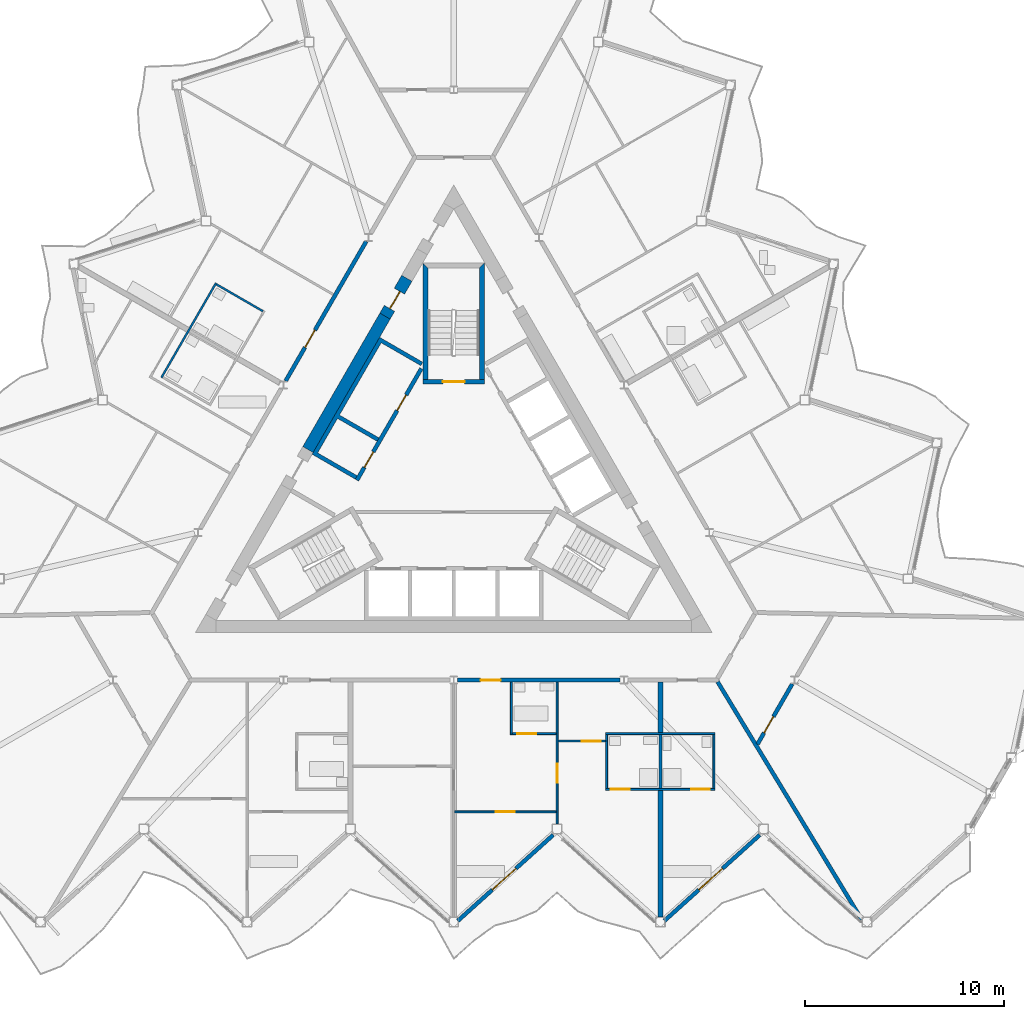
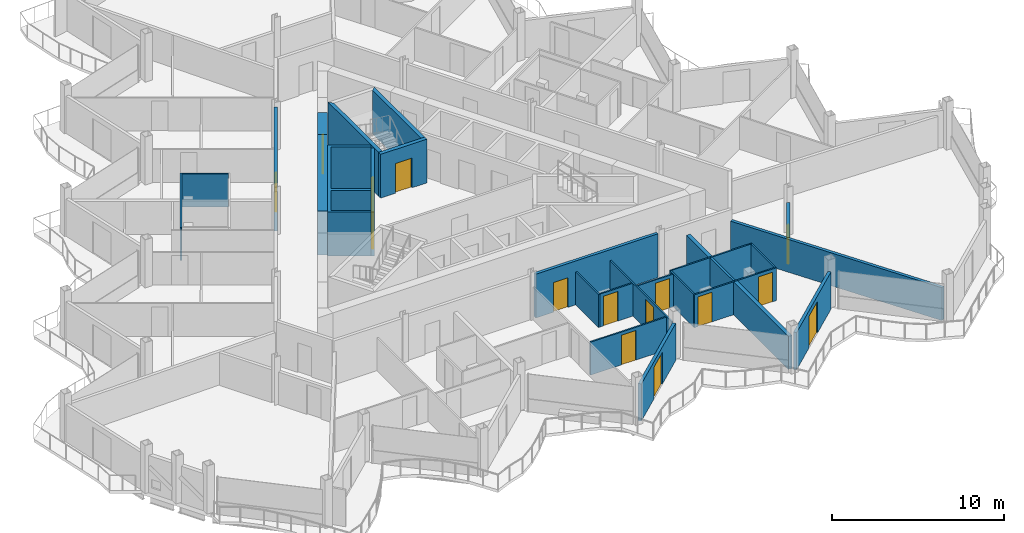
# One storey, part 14 of 25: 27 walls, 15 doors, 15 openings.
"""IFC4 building model written with IfcOpenShell, lengths in metres."""

from ifc_helpers import new_model, si_unit, direction, frame, frame_2d, origin, place, context, subcontext, project, spatial, polyline, rectangle, outline, extrude, material, layer, layer_set, type_object, element, fill, save


model = new_model("IFC4")

# Units and contexts
model_context = context("Model", 3, precision=1e-05, world=origin(), true_north=direction((0.0, 1.0)))
body_context = subcontext(model_context, "Body", "Model", "MODEL_VIEW")
ifc_project = project(units=[si_unit("LENGTHUNIT", "METRE"), si_unit("AREAUNIT", "SQUARE_METRE"), si_unit("VOLUMEUNIT", "CUBIC_METRE"), si_unit("PLANEANGLEUNIT", "RADIAN"), si_unit("MASSUNIT", "GRAM", prefix="KILO")], contexts=[model_context])

# Site, building, storey
site_placement = place(None, origin())
site = spatial("IfcSite", under=ifc_project, at=site_placement, CompositionType="ELEMENT")
building_placement = place(site_placement, origin())
building = spatial("IfcBuilding", under=site, at=building_placement, Name="Cormorant Prow Tower", CompositionType="ELEMENT")
storey_placement = place(building_placement, frame((0.0, 0.0, 391.60009765625)))
storey = spatial("IfcBuildingStorey", under=building, at=storey_placement, Name="L89", CompositionType="ELEMENT", Elevation=391.60009765625)

# Wall
ifc_material_1 = material(Name="Concrete 8000 psi", Category="concrete")
ifc_layer_1 = layer(ifc_material_1, 0.60009765625)
ifc_layer_set_1 = layer_set([ifc_layer_1], Name="Concrete 8000 psi")
wall_type_1 = type_object("IfcWallType", Name="Core shear wall 600", PredefinedType="SHEAR", material=ifc_layer_set_1)
wall_1_placement = place(storey_placement, frame((-3.460693359375, 8.416748046875, 0.0), z_axis=(0.0, 0.0, 1.0), x_axis=(-0.50000391502, -0.866023143435, 0.0)))
element("IfcWall", 1, at=wall_1_placement, inside=storey, type_object=wall_type_1, Name="Core wall", PredefinedType="SHEAR", context=body_context, shape_type="SweptSolid", body=[
    extrude(rectangle(XDim=7.7587890625, YDim=0.60009765625, at=frame_2d((3.87939453125, 0.0))), origin(), (0.0, 0.0, 1.0), 3.099853515625),
])

# Wall, opening, door
wall_2_placement = place(storey_placement, frame((-2.36083984375, 10.322021484375, 0.0), z_axis=(0.0, 0.0, 1.0), x_axis=(-0.499946605688, -0.86605622881, 0.0)))
wall_2 = element("IfcWall", 2, at=wall_2_placement, inside=storey, type_object=wall_type_1, Name="Core wall door panel", PredefinedType="SHEAR", context=body_context, shape_type="SweptSolid", body=[
    extrude(rectangle(XDim=2.199951171875, YDim=0.60009765625, at=frame_2d((1.10009765625, 0.0))), origin(), (0.0, 0.0, 1.0), 3.099853515625),
])
opening_1_placement = place(wall_2_placement, frame((0.75, 0.0, 0.0)))
opening_1 = element("IfcOpeningElement", 3, at=opening_1_placement, cuts=wall_2, Name="Opening L89-C18", PredefinedType="OPENING", context=body_context, shape_type="SweptSolid", body=[
    extrude(rectangle(XDim=1.0, YDim=2.10009765625, at=frame_2d((0.5, 1.050048828125))), frame((0.0, 0.31005859375, 0.0), z_axis=(0.0, -1.0, 0.0), x_axis=(1.0, 0.0, 0.0)), (0.0, 0.0, 1.0), 0.6201171875),
])
ifc_material_2 = material(Name="Painted steel", Category="steel")
door_type_1 = type_object("IfcDoorType", Name="Service door 1000x2100", OperationType="NOTDEFINED", PredefinedType="DOOR", material=ifc_material_2)
door_1_placement = place(opening_1_placement, origin())
door_1 = element("IfcDoor", 4, at=door_1_placement, inside=storey, type_object=door_type_1, Name="Core door, Mechanical riser room", OperationType="SINGLE_SWING_LEFT", OverallHeight=2.10009765625, OverallWidth=1.0, PredefinedType="DOOR", context=body_context, shape_type="SweptSolid", body=[
    extrude(rectangle(XDim=1.0, YDim=2.10009765625, at=frame_2d((0.5, 1.050048828125))), frame((0.0, 0.05517578125, 0.0), z_axis=(0.0, -1.0, 0.0), x_axis=(1.0, 0.0, 0.0)), (0.0, 0.0, 1.0), 0.050048828125),
])
fill(opening_1, door_1)

ifc_material_3 = material(Name="Gypsum board corridor wall")
ifc_layer_2 = layer(ifc_material_3, 0.199951171875)
ifc_layer_set_2 = layer_set([ifc_layer_2], Name="Gypsum board corridor wall")
wall_type_2 = type_object("IfcWallType", Name="Corridor wall 200", PredefinedType="PARTITIONING", material=ifc_layer_set_2)
wall_3_placement = place(storey_placement, frame((0.197021484375, -9.905517578125, 0.0), z_axis=(0.0, 0.0, 1.0), x_axis=(1.0, 0.0, 0.0)))
wall_3 = element("IfcWall", 5, at=wall_3_placement, inside=storey, type_object=wall_type_2, Name="Corridor wall", PredefinedType="PARTITIONING", context=body_context, shape_type="SweptSolid", body=[
    extrude(rectangle(XDim=8.1845703125, YDim=0.199951171875, at=frame_2d((4.09228515625, 0.0))), origin(), (0.0, 0.0, 1.0), 3.099853515625),
])
opening_2_placement = place(wall_3_placement, frame((1.16162109375, 0.0, 0.0)))
opening_2 = element("IfcOpeningElement", 6, at=opening_2_placement, cuts=wall_3, Name="Opening L89-F06", PredefinedType="OPENING", context=body_context, shape_type="SweptSolid", body=[
    extrude(rectangle(XDim=1.0, YDim=2.10009765625, at=frame_2d((0.5, 1.050048828125))), frame((0.0, 0.10986328125, 0.0), z_axis=(0.0, -1.0, 0.0), x_axis=(1.0, 0.0, 0.0)), (0.0, 0.0, 1.0), 0.219970703125),
])
ifc_material_4 = material(Name="Timber door leaf", Category="wood")
door_type_2 = type_object("IfcDoorType", Name="Flat or room entrance door 1000x2100", OperationType="NOTDEFINED", PredefinedType="DOOR", material=ifc_material_4)
door_2_placement = place(opening_2_placement, origin())
door_2 = element("IfcDoor", 7, at=door_2_placement, inside=storey, type_object=door_type_2, Name="Living room door", OperationType="SINGLE_SWING_RIGHT", OverallHeight=2.10009765625, OverallWidth=1.0, PredefinedType="DOOR", context=body_context, shape_type="SweptSolid", body=[
    extrude(rectangle(XDim=1.0, YDim=2.10009765625, at=frame_2d((0.5, 1.050048828125))), frame((0.0, 0.02490234375, 0.0), z_axis=(0.0, -1.0, 0.0), x_axis=(1.0, 0.0, 0.0)), (0.0, 0.0, 1.0), 0.050048828125),
])
fill(opening_2, door_2)

wall_4_placement = place(storey_placement, frame((-8.464599609375, 5.14990234375, 0.0), z_axis=(0.0, 0.0, 1.0), x_axis=(0.499992155518, 0.866029932751, 0.0)))
wall_4 = element("IfcWall", 8, at=wall_4_placement, inside=storey, type_object=wall_type_2, Name="Corridor wall", PredefinedType="PARTITIONING", context=body_context, shape_type="SweptSolid", body=[
    extrude(rectangle(XDim=8.123291015625, YDim=0.199951171875, at=frame_2d((4.0615234375, 0.0))), origin(), (0.0, 0.0, 1.0), 3.099853515625),
])
opening_3_placement = place(wall_4_placement, frame((1.9560546875, 0.0, 0.0)))
opening_3 = element("IfcOpeningElement", 9, at=opening_3_placement, cuts=wall_4, Name="Opening L89-F35", PredefinedType="OPENING", context=body_context, shape_type="SweptSolid", body=[
    extrude(rectangle(XDim=1.0, YDim=2.10009765625, at=frame_2d((0.5, 1.050048828125))), frame((0.0, 0.10986328125, 0.0), z_axis=(0.0, -1.0, 0.0), x_axis=(1.0, 0.0, 0.0)), (0.0, 0.0, 1.0), 0.219970703125),
])
door_3_placement = place(opening_3_placement, origin())
door_3 = element("IfcDoor", 10, at=door_3_placement, inside=storey, type_object=door_type_2, Name="Living room door", OperationType="SINGLE_SWING_RIGHT", OverallHeight=2.10009765625, OverallWidth=1.0, PredefinedType="DOOR", context=body_context, shape_type="SweptSolid", body=[
    extrude(rectangle(XDim=1.0, YDim=2.10009765625, at=frame_2d((0.5, 1.050048828125))), frame((0.0, 0.02490234375, 0.0), z_axis=(0.0, -1.0, 0.0), x_axis=(1.0, 0.0, 0.0)), (0.0, 0.0, 1.0), 0.050048828125),
])
fill(opening_3, door_3)

# Wall
ifc_material_5 = material(Name="Gypsum board demising wall")
ifc_layer_3 = layer(ifc_material_5, 0.199951171875)
ifc_layer_set_3 = layer_set([ifc_layer_3], Name="Gypsum board demising wall")
wall_type_3 = type_object("IfcWallType", Name="Demising wall 200", PredefinedType="PARTITIONING", material=ifc_layer_set_3)
wall_5_placement = place(storey_placement, frame((13.28271484375, -9.9912109375, 0.0), z_axis=(0.0, 0.0, 1.0), x_axis=(0.518239121386, -0.855235764608, 0.0)))
element("IfcWall", 11, at=wall_5_placement, inside=storey, type_object=wall_type_3, Name="Demising wall", PredefinedType="PARTITIONING", context=body_context, shape_type="SweptSolid", body=[
    extrude(rectangle(XDim=14.00390625, YDim=0.199951171875, at=frame_2d((7.001953125, 0.0))), origin(), (0.0, 0.0, 1.0), 2.330078125),
])

# Wall, opening, door
wall_6_placement = place(storey_placement, frame((15.291259765625, -13.136962890625, 0.0), z_axis=(0.0, 0.0, 1.0), x_axis=(0.500005931509, 0.866021979199, 0.0)))
wall_6 = element("IfcWall", 12, at=wall_6_placement, inside=storey, type_object=wall_type_3, Name="Demising wall", PredefinedType="PARTITIONING", context=body_context, shape_type="SweptSolid", body=[
    extrude(rectangle(XDim=3.50390625, YDim=0.199951171875, at=frame_2d((1.751953125, 0.0))), origin(), (0.0, 0.0, 1.0), 2.330078125),
])
opening_4_placement = place(wall_6_placement, frame((0.66064453125, 0.0, 0.0)))
opening_4 = element("IfcOpeningElement", 13, at=opening_4_placement, cuts=wall_6, Name="Opening L89-F17", PredefinedType="OPENING", context=body_context, shape_type="SweptSolid", body=[
    extrude(rectangle(XDim=0.949951171875, YDim=2.10009765625, at=frame_2d((0.47509765625, 1.050048828125))), frame((0.0, 0.10986328125, 0.0), z_axis=(0.0, -1.0, 0.0), x_axis=(1.0, 0.0, 0.0)), (0.0, 0.0, 1.0), 0.219970703125),
])
ifc_material_6 = material(Name="Timber door leaf", Category="wood")
door_type_3 = type_object("IfcDoorType", Name="Store door 950x2100", OperationType="NOTDEFINED", PredefinedType="DOOR", material=ifc_material_6)
door_4_placement = place(opening_4_placement, origin())
door_4 = element("IfcDoor", 14, at=door_4_placement, inside=storey, type_object=door_type_3, Name="Bicycle store door", OperationType="SINGLE_SWING_LEFT", OverallHeight=2.10009765625, OverallWidth=0.949951171875, PredefinedType="DOOR", context=body_context, shape_type="SweptSolid", body=[
    extrude(rectangle(XDim=0.949951171875, YDim=2.10009765625, at=frame_2d((0.47509765625, 1.050048828125))), frame((0.0, 0.02490234375, 0.0), z_axis=(0.0, -1.0, 0.0), x_axis=(1.0, 0.0, 0.0)), (0.0, 0.0, 1.0), 0.050048828125),
])
fill(opening_4, door_4)

ifc_material_7 = material(Name="Gypsum board partition")
ifc_layer_4 = layer(ifc_material_7, 0.10009765625)
ifc_layer_set_4 = layer_set([ifc_layer_4], Name="Gypsum board partition")
wall_type_4 = type_object("IfcWallType", Name="Internal partition 100", PredefinedType="PARTITIONING", material=ifc_layer_set_4)
wall_7_placement = place(storey_placement, frame((5.199951171875, -17.145751953125, 0.0), z_axis=(0.0, 0.0, 1.0), x_axis=(0.0, 1.0, 0.0)))
wall_7 = element("IfcWall", 15, at=wall_7_placement, inside=storey, type_object=wall_type_4, Name="Internal partition", PredefinedType="PARTITIONING", context=body_context, shape_type="SweptSolid", body=[
    extrude(rectangle(XDim=7.14013671875, YDim=0.10009765625, at=frame_2d((3.570068359375, 0.0))), origin(), (0.0, 0.0, 1.0), 2.330078125),
])
opening_5_placement = place(wall_7_placement, frame((2.0791015625, 0.0, 0.0)))
opening_5 = element("IfcOpeningElement", 16, at=opening_5_placement, cuts=wall_7, Name="Opening L89-F11", PredefinedType="OPENING", context=body_context, shape_type="SweptSolid", body=[
    extrude(rectangle(XDim=0.949951171875, YDim=2.10009765625, at=frame_2d((0.47509765625, 1.050048828125))), frame((0.0, 0.06005859375, 0.0), z_axis=(0.0, -1.0, 0.0), x_axis=(1.0, 0.0, 0.0)), (0.0, 0.0, 1.0), 0.1201171875),
])
ifc_material_8 = material(Name="Timber door leaf", Category="wood")
door_type_4 = type_object("IfcDoorType", Name="Bathroom door 950x2100", OperationType="NOTDEFINED", PredefinedType="DOOR", material=ifc_material_8)
door_5_placement = place(opening_5_placement, origin())
door_5 = element("IfcDoor", 17, at=door_5_placement, inside=storey, type_object=door_type_4, Name="Living room door", OperationType="SINGLE_SWING_RIGHT", OverallHeight=2.10009765625, OverallWidth=0.949951171875, PredefinedType="DOOR", context=body_context, shape_type="SweptSolid", body=[
    extrude(rectangle(XDim=0.949951171875, YDim=2.10009765625, at=frame_2d((0.47509765625, 1.050048828125))), frame((0.0, 0.02490234375, 0.0), z_axis=(0.0, -1.0, 0.0), x_axis=(1.0, 0.0, 0.0)), (0.0, 0.0, 1.0), 0.050048828125),
])
fill(opening_5, door_5)

# Wall
wall_8_placement = place(storey_placement, frame((7.64990234375, -12.605712890625, 0.0), z_axis=(0.0, 0.0, 1.0), x_axis=(1.0, 0.0, 0.0)))
element("IfcWall", 18, at=wall_8_placement, inside=storey, type_object=wall_type_4, Name="Internal partition", PredefinedType="PARTITIONING", context=body_context, shape_type="SweptSolid", body=[
    extrude(rectangle(XDim=5.5, YDim=0.10009765625, at=frame_2d((2.75, 0.0))), origin(), (0.0, 0.0, 1.0), 2.330078125),
])

# Wall, openings, doors
wall_9_placement = place(storey_placement, frame((7.64990234375, -15.405517578125, 0.0), z_axis=(0.0, 0.0, 1.0), x_axis=(1.0, 0.0, 0.0)))
wall_9 = element("IfcWall", 19, at=wall_9_placement, inside=storey, type_object=wall_type_4, Name="Internal partition", PredefinedType="PARTITIONING", context=body_context, shape_type="SweptSolid", body=[
    extrude(rectangle(XDim=5.5, YDim=0.10009765625, at=frame_2d((2.75, 0.0))), origin(), (0.0, 0.0, 1.0), 2.330078125),
])
opening_6_placement = place(wall_9_placement, frame((0.25, 0.0, 0.0)))
opening_6 = element("IfcOpeningElement", 20, at=opening_6_placement, cuts=wall_9, Name="Opening L89-F13", PredefinedType="OPENING", context=body_context, shape_type="SweptSolid", body=[
    extrude(rectangle(XDim=0.949951171875, YDim=2.10009765625, at=frame_2d((0.47509765625, 1.050048828125))), frame((0.0, 0.06005859375, 0.0), z_axis=(0.0, -1.0, 0.0), x_axis=(1.0, 0.0, 0.0)), (0.0, 0.0, 1.0), 0.1201171875),
])
opening_7_placement = place(wall_9_placement, frame((4.300048828125, 0.0, 0.0)))
opening_7 = element("IfcOpeningElement", 21, at=opening_7_placement, cuts=wall_9, Name="Opening L89-F15", PredefinedType="OPENING", context=body_context, shape_type="SweptSolid", body=[
    extrude(rectangle(XDim=0.949951171875, YDim=2.10009765625, at=frame_2d((0.47509765625, 1.050048828125))), frame((0.0, 0.06005859375, 0.0), z_axis=(0.0, -1.0, 0.0), x_axis=(1.0, 0.0, 0.0)), (0.0, 0.0, 1.0), 0.1201171875),
])
door_6_placement = place(opening_6_placement, origin())
door_6 = element("IfcDoor", 22, at=door_6_placement, inside=storey, type_object=door_type_4, Name="Bedroom door", OperationType="SINGLE_SWING_LEFT", OverallHeight=2.10009765625, OverallWidth=0.949951171875, PredefinedType="DOOR", context=body_context, shape_type="SweptSolid", body=[
    extrude(rectangle(XDim=0.949951171875, YDim=2.10009765625, at=frame_2d((0.47509765625, 1.050048828125))), frame((0.0, 0.02490234375, 0.0), z_axis=(0.0, -1.0, 0.0), x_axis=(1.0, 0.0, 0.0)), (0.0, 0.0, 1.0), 0.050048828125),
])
fill(opening_6, door_6)
door_7_placement = place(opening_7_placement, origin())
door_7 = element("IfcDoor", 23, at=door_7_placement, inside=storey, type_object=door_type_4, Name="Studio living, kitchen and sleeping room door", OperationType="SINGLE_SWING_RIGHT", OverallHeight=2.10009765625, OverallWidth=0.949951171875, PredefinedType="DOOR", context=body_context, shape_type="SweptSolid", body=[
    extrude(rectangle(XDim=0.949951171875, YDim=2.10009765625, at=frame_2d((0.47509765625, 1.050048828125))), frame((0.0, 0.02490234375, 0.0), z_axis=(0.0, -1.0, 0.0), x_axis=(1.0, 0.0, 0.0)), (0.0, 0.0, 1.0), 0.050048828125),
])
fill(opening_7, door_7)

# Wall
wall_10_placement = place(storey_placement, frame((-14.716552734375, 5.3212890625, 0.0), z_axis=(0.0, 0.0, 1.0), x_axis=(0.500015767406, 0.866016300277, 0.0)))
element("IfcWall", 24, at=wall_10_placement, inside=storey, type_object=wall_type_4, Name="Internal partition", PredefinedType="PARTITIONING", context=body_context, shape_type="SweptSolid", body=[
    extrude(rectangle(XDim=5.499755859375, YDim=0.10009765625, at=frame_2d((2.75, 0.0))), origin(), (0.0, 0.0, 1.0), 2.330078125),
])

# Wall, opening, door
wall_11_placement = place(storey_placement, frame((0.050048828125, -16.544189453125, 0.0), z_axis=(0.0, 0.0, 1.0), x_axis=(1.0, 0.0, 0.0)))
wall_11 = element("IfcWall", 25, at=wall_11_placement, inside=storey, type_object=wall_type_4, Name="Internal partition", PredefinedType="PARTITIONING", context=body_context, shape_type="SweptSolid", body=[
    extrude(rectangle(XDim=5.099853515625, YDim=0.10009765625, at=frame_2d((2.5498046875, 0.0))), origin(), (0.0, 0.0, 1.0), 2.330078125),
])
opening_8_placement = place(wall_11_placement, frame((2.074951171875, 0.0, 0.0)))
opening_8 = element("IfcOpeningElement", 26, at=opening_8_placement, cuts=wall_11, Name="Opening L89-F08", PredefinedType="OPENING", context=body_context, shape_type="SweptSolid", body=[
    extrude(rectangle(XDim=0.949951171875, YDim=2.10009765625, at=frame_2d((0.47509765625, 1.050048828125))), frame((0.0, 0.06005859375, 0.0), z_axis=(0.0, -1.0, 0.0), x_axis=(1.0, 0.0, 0.0)), (0.0, 0.0, 1.0), 0.1201171875),
])
door_8_placement = place(opening_8_placement, origin())
door_8 = element("IfcDoor", 27, at=door_8_placement, inside=storey, type_object=door_type_4, Name="Living room door", OperationType="SINGLE_SWING_RIGHT", OverallHeight=2.10009765625, OverallWidth=0.949951171875, PredefinedType="DOOR", context=body_context, shape_type="SweptSolid", body=[
    extrude(rectangle(XDim=0.949951171875, YDim=2.10009765625, at=frame_2d((0.47509765625, 1.050048828125))), frame((0.0, 0.02490234375, 0.0), z_axis=(0.0, -1.0, 0.0), x_axis=(1.0, 0.0, 0.0)), (0.0, 0.0, 1.0), 0.050048828125),
])
fill(opening_8, door_8)

# Walls
wall_12_placement = place(storey_placement, frame((-11.9482421875, 10.01611328125, 0.0), z_axis=(0.0, 0.0, 1.0), x_axis=(0.86599734893, -0.500048589285, 0.0)))
element("IfcWall", 28, at=wall_12_placement, inside=storey, type_object=wall_type_4, Name="Internal partition", PredefinedType="PARTITIONING", context=body_context, shape_type="SweptSolid", body=[
    extrude(rectangle(XDim=2.699951171875, YDim=0.10009765625, at=frame_2d((1.35009765625, 0.0))), origin(), (0.0, 0.0, 1.0), 2.330078125),
])
for number, where, z_axis, x_axis, name in (
    (29, (7.699951171875, -15.355712890625, 0.0), (0.0, 0.0, 1.0), (0.0, 1.0, 0.0), "Internal partition"),
    (30, (13.10009765625, -15.355712890625, 0.0), (0.0, 0.0, 1.0), (0.0, 1.0, 0.0), "Internal partition"),
):
    element("IfcWall", number, at=place(storey_placement, frame(where, z_axis=z_axis, x_axis=x_axis)), inside=storey, type_object=wall_type_4, Name=name, PredefinedType="PARTITIONING", context=body_context, shape_type="SweptSolid", body=[
        extrude(rectangle(XDim=2.7001953125, YDim=0.10009765625, at=frame_2d((1.35009765625, 0.0))), origin(), (0.0, 0.0, 1.0), 2.330078125),
    ])
wall_13_placement = place(storey_placement, frame((2.89990234375, -12.655517578125, 0.0), z_axis=(0.0, 0.0, 1.0), x_axis=(0.0, 1.0, 0.0)))
element("IfcWall", 31, at=wall_13_placement, inside=storey, type_object=wall_type_4, Name="Internal partition", PredefinedType="PARTITIONING", context=body_context, shape_type="SweptSolid", body=[
    extrude(rectangle(XDim=2.64990234375, YDim=0.10009765625, at=frame_2d((1.324951171875, 0.0))), origin(), (0.0, 0.0, 1.0), 2.330078125),
])

# Wall, opening, door
wall_14_placement = place(storey_placement, frame((5.25, -12.97412109375, 0.0), z_axis=(0.0, 0.0, 1.0), x_axis=(1.0, 0.0, 0.0)))
wall_14 = element("IfcWall", 32, at=wall_14_placement, inside=storey, type_object=wall_type_4, Name="Internal partition", PredefinedType="PARTITIONING", context=body_context, shape_type="SweptSolid", body=[
    extrude(rectangle(XDim=2.39990234375, YDim=0.10009765625, at=frame_2d((1.199951171875, 0.0))), origin(), (0.0, 0.0, 1.0), 2.330078125),
])
opening_9_placement = place(wall_14_placement, frame((1.199951171875, 0.0, 0.0)))
opening_9 = element("IfcOpeningElement", 33, at=opening_9_placement, cuts=wall_14, Name="Opening L89-F12", PredefinedType="OPENING", context=body_context, shape_type="SweptSolid", body=[
    extrude(rectangle(XDim=0.949951171875, YDim=2.10009765625, at=frame_2d((0.47509765625, 1.050048828125))), frame((0.0, 0.06005859375, 0.0), z_axis=(0.0, -1.0, 0.0), x_axis=(1.0, 0.0, 0.0)), (0.0, 0.0, 1.0), 0.1201171875),
])
door_9_placement = place(opening_9_placement, origin())
door_9 = element("IfcDoor", 34, at=door_9_placement, inside=storey, type_object=door_type_4, Name="Bedroom door", OperationType="SINGLE_SWING_RIGHT", OverallHeight=2.10009765625, OverallWidth=0.949951171875, PredefinedType="DOOR", context=body_context, shape_type="SweptSolid", body=[
    extrude(rectangle(XDim=0.949951171875, YDim=2.10009765625, at=frame_2d((0.47509765625, 1.050048828125))), frame((0.0, 0.02490234375, 0.0), z_axis=(0.0, -1.0, 0.0), x_axis=(1.0, 0.0, 0.0)), (0.0, 0.0, 1.0), 0.050048828125),
])
fill(opening_9, door_9)

wall_15_placement = place(storey_placement, frame((2.949951171875, -12.605712890625, 0.0), z_axis=(0.0, 0.0, 1.0), x_axis=(1.0, 0.0, 0.0)))
wall_15 = element("IfcWall", 35, at=wall_15_placement, inside=storey, type_object=wall_type_4, Name="Internal partition", PredefinedType="PARTITIONING", context=body_context, shape_type="SweptSolid", body=[
    extrude(rectangle(XDim=2.199951171875, YDim=0.10009765625, at=frame_2d((1.10009765625, 0.0))), origin(), (0.0, 0.0, 1.0), 2.330078125),
])
opening_10_placement = place(wall_15_placement, frame((0.25, 0.0, 0.0)))
opening_10 = element("IfcOpeningElement", 36, at=opening_10_placement, cuts=wall_15, Name="Opening L89-F07", PredefinedType="OPENING", context=body_context, shape_type="SweptSolid", body=[
    extrude(rectangle(XDim=0.949951171875, YDim=2.10009765625, at=frame_2d((0.47509765625, 1.050048828125))), frame((0.0, 0.06005859375, 0.0), z_axis=(0.0, -1.0, 0.0), x_axis=(1.0, 0.0, 0.0)), (0.0, 0.0, 1.0), 0.1201171875),
])
door_10_placement = place(opening_10_placement, origin())
door_10 = element("IfcDoor", 37, at=door_10_placement, inside=storey, type_object=door_type_4, Name="Living room door", OperationType="SINGLE_SWING_LEFT", OverallHeight=2.10009765625, OverallWidth=0.949951171875, PredefinedType="DOOR", context=body_context, shape_type="SweptSolid", body=[
    extrude(rectangle(XDim=0.949951171875, YDim=2.10009765625, at=frame_2d((0.47509765625, 1.050048828125))), frame((0.0, 0.02490234375, 0.0), z_axis=(0.0, -1.0, 0.0), x_axis=(1.0, 0.0, 0.0)), (0.0, 0.0, 1.0), 0.050048828125),
])
fill(opening_10, door_10)

# Wall, openings, doors
ifc_material_9 = material(Name="Concrete 5000 psi", Category="concrete")
ifc_layer_5 = layer(ifc_material_9, 0.199951171875)
ifc_layer_set_5 = layer_set([ifc_layer_5], Name="Concrete 5000 psi")
wall_type_5 = type_object("IfcWallType", Name="Lift lobby wall 200", PredefinedType="SOLIDWALL", material=ifc_layer_set_5)
wall_16_placement = place(storey_placement, frame((-1.630615234375, 5.775634765625, 0.0), z_axis=(0.0, 0.0, 1.0), x_axis=(-0.499992876559, -0.866029516466, 0.0)))
wall_16 = element("IfcWall", 38, at=wall_16_placement, inside=storey, type_object=wall_type_5, Name="Lift lobby wall, WNW block", PredefinedType="SOLIDWALL", context=body_context, shape_type="SweptSolid", body=[
    extrude(rectangle(XDim=6.486328125, YDim=0.199951171875, at=frame_2d((3.2431640625, 0.0))), origin(), (0.0, 0.0, 1.0), 3.099853515625),
])
opening_11_placement = place(wall_16_placement, frame((1.53662109375, 0.0, 0.0)))
opening_11 = element("IfcOpeningElement", 39, at=opening_11_placement, cuts=wall_16, Name="Opening L89-C09", PredefinedType="OPENING", context=body_context, shape_type="SweptSolid", body=[
    extrude(rectangle(XDim=0.89990234375, YDim=2.10009765625, at=frame_2d((0.449951171875, 1.050048828125))), frame((0.0, 0.10986328125, 0.0), z_axis=(0.0, -1.0, 0.0), x_axis=(1.0, 0.0, 0.0)), (0.0, 0.0, 1.0), 0.219970703125),
])
opening_12_placement = place(wall_16_placement, frame((4.836669921875, 0.0, 0.0)))
opening_12 = element("IfcOpeningElement", 40, at=opening_12_placement, cuts=wall_16, Name="Opening L89-C10", PredefinedType="OPENING", context=body_context, shape_type="SweptSolid", body=[
    extrude(rectangle(XDim=0.89990234375, YDim=2.10009765625, at=frame_2d((0.449951171875, 1.050048828125))), frame((0.0, 0.10986328125, 0.0), z_axis=(0.0, -1.0, 0.0), x_axis=(1.0, 0.0, 0.0)), (0.0, 0.0, 1.0), 0.219970703125),
])
ifc_material_10 = material(Name="Painted steel", Category="steel")
door_type_5 = type_object("IfcDoorType", Name="Service door 900x2100", OperationType="NOTDEFINED", PredefinedType="DOOR", material=ifc_material_10)
door_11_placement = place(opening_11_placement, origin())
door_11 = element("IfcDoor", 41, at=door_11_placement, inside=storey, type_object=door_type_5, Name="Service door, Telecom room", OperationType="SINGLE_SWING_LEFT", OverallHeight=2.10009765625, OverallWidth=0.89990234375, PredefinedType="DOOR", context=body_context, shape_type="SweptSolid", body=[
    extrude(rectangle(XDim=0.89990234375, YDim=2.10009765625, at=frame_2d((0.449951171875, 1.050048828125))), frame((0.0, 0.02490234375, 0.0), z_axis=(0.0, -1.0, 0.0), x_axis=(1.0, 0.0, 0.0)), (0.0, 0.0, 1.0), 0.050048828125),
])
fill(opening_11, door_11)
door_12_placement = place(opening_12_placement, origin())
door_12 = element("IfcDoor", 42, at=door_12_placement, inside=storey, type_object=door_type_5, Name="Service door, Electrical room", OperationType="SINGLE_SWING_RIGHT", OverallHeight=2.10009765625, OverallWidth=0.89990234375, PredefinedType="DOOR", context=body_context, shape_type="SweptSolid", body=[
    extrude(rectangle(XDim=0.89990234375, YDim=2.10009765625, at=frame_2d((0.449951171875, 1.050048828125))), frame((0.0, 0.02490234375, 0.0), z_axis=(0.0, -1.0, 0.0), x_axis=(1.0, 0.0, 0.0)), (0.0, 0.0, 1.0), 0.050048828125),
])
fill(opening_12, door_12)

# Walls
ifc_material_11 = material(Name="Concrete 8000 psi", Category="concrete")
ifc_layer_6 = layer(ifc_material_11, 0.199951171875)
ifc_layer_set_6 = layer_set([ifc_layer_6], Name="Concrete 8000 psi")
wall_type_6 = type_object("IfcWallType", Name="Lift shaft wall 200", PredefinedType="SHEAR", material=ifc_layer_set_6)
wall_17_placement = place(storey_placement, origin())
element("IfcWall", 43, at=wall_17_placement, inside=storey, type_object=wall_type_6, Name="Lift shaft walls, WNW block", PredefinedType="SHEAR", context=body_context, shape_type="SweptSolid", body=[
    extrude(outline(polyline([(-4.96044921875, 0.2080078125), (-7.130859375, 1.461181640625), (-3.730712890625, 7.35009765625), (-1.560546875, 6.09716796875), (-1.660400390625, 5.923828125), (-3.65234375, 7.073974609375), (-5.75244140625, 3.4365234375), (-3.760498046875, 2.28662109375), (-3.860595703125, 2.11328125), (-5.852294921875, 3.263427734375), (-6.852294921875, 1.53125), (-4.860595703125, 0.38134765625), (-4.96044921875, 0.2080078125)])), origin(), (0.0, 0.0, 1.0), 3.099853515625),
])
ifc_material_12 = material(Name="Concrete 8000 psi", Category="concrete")
ifc_layer_7 = layer(ifc_material_12, 0.25)
ifc_layer_set_7 = layer_set([ifc_layer_7], Name="Concrete 8000 psi")
wall_type_7 = type_object("IfcWallType", Name="Stair wall 250", PredefinedType="SHEAR", material=ifc_layer_set_7)
wall_18_placement = place(storey_placement, origin())
element("IfcWall", 44, at=wall_18_placement, inside=storey, type_object=wall_type_7, Name="Stair ST3 enclosure wall (flank)", PredefinedType="SHEAR", context=body_context, shape_type="SweptSolid", body=[
    extrude(outline(polyline([(1.5439453125, 5.23681640625), (1.5439453125, 11.0869140625), (1.2939453125, 10.8369140625), (1.2939453125, 5.23681640625), (1.5439453125, 5.23681640625)])), origin(), (0.0, 0.0, 1.0), 3.099853515625),
])
wall_19_placement = place(storey_placement, origin())
element("IfcWall", 45, at=wall_19_placement, inside=storey, type_object=wall_type_7, Name="Stair ST3 enclosure wall (flank)", PredefinedType="SHEAR", context=body_context, shape_type="SweptSolid", body=[
    extrude(outline(polyline([(-1.2939453125, 10.8369140625), (-1.5439453125, 11.0869140625), (-1.5439453125, 5.23681640625), (-1.2939453125, 5.23681640625), (-1.2939453125, 10.8369140625)])), origin(), (0.0, 0.0, 1.0), 3.099853515625),
])

# Wall, opening, door
wall_20_placement = place(storey_placement, frame((1.5439453125, 5.11181640625, 0.0), z_axis=(0.0, 0.0, 1.0), x_axis=(-1.0, 0.0, 0.0)))
wall_20 = element("IfcWall", 46, at=wall_20_placement, inside=storey, type_object=wall_type_7, Name="Stair ST3 door wall", PredefinedType="SHEAR", context=body_context, shape_type="SweptSolid", body=[
    extrude(rectangle(XDim=3.087890625, YDim=0.25, at=frame_2d((1.5439453125, 0.0))), origin(), (0.0, 0.0, 1.0), 3.099853515625),
])
opening_13_placement = place(wall_20_placement, frame((0.993896484375, 0.0, 0.0)))
opening_13 = element("IfcOpeningElement", 47, at=opening_13_placement, cuts=wall_20, Name="Opening L89-C14", PredefinedType="OPENING", context=body_context, shape_type="SweptSolid", body=[
    extrude(rectangle(XDim=1.10009765625, YDim=2.10009765625, at=frame_2d((0.550048828125, 1.050048828125))), frame((0.0, 0.135009765625, 0.0), z_axis=(0.0, -1.0, 0.0), x_axis=(1.0, 0.0, 0.0)), (0.0, 0.0, 1.0), 0.27001953125),
])
ifc_material_13 = material(Name="Painted steel", Category="steel")
door_type_6 = type_object("IfcDoorType", Name="Stair door 1100x2100", OperationType="NOTDEFINED", PredefinedType="DOOR", material=ifc_material_13)
door_13_placement = place(opening_13_placement, origin())
door_13 = element("IfcDoor", 48, at=door_13_placement, inside=storey, type_object=door_type_6, Name="Stair ST3 door", OperationType="SINGLE_SWING_LEFT", OverallHeight=2.10009765625, OverallWidth=1.10009765625, PredefinedType="DOOR", context=body_context, shape_type="SweptSolid", body=[
    extrude(rectangle(XDim=1.10009765625, YDim=2.10009765625, at=frame_2d((0.550048828125, 1.050048828125))), frame((0.0, 0.02490234375, 0.0), z_axis=(0.0, -1.0, 0.0), x_axis=(1.0, 0.0, 0.0)), (0.0, 0.0, 1.0), 0.050048828125),
])
fill(opening_13, door_13)

# Walls
ifc_material_14 = material(Name="Acoustic gypsum party wall")
ifc_layer_8 = layer(ifc_material_14, 0.25)
ifc_layer_set_8 = layer_set([ifc_layer_8], Name="Acoustic gypsum party wall")
wall_type_8 = type_object("IfcWallType", Name="Suite party wall 250", PredefinedType="PARTITIONING", material=ifc_layer_set_8)
wall_21_placement = place(storey_placement, frame((10.39990234375, -21.827880859375, 0.0), z_axis=(0.0, 0.0, 1.0), x_axis=(0.0, 1.0, 0.0)))
element("IfcWall", 49, at=wall_21_placement, inside=storey, type_object=wall_type_8, Name="Suite party wall", PredefinedType="PARTITIONING", context=body_context, shape_type="SweptSolid", body=[
    extrude(rectangle(XDim=6.372314453125, YDim=0.25, at=frame_2d((3.18603515625, 0.0))), origin(), (0.0, 0.0, 1.0), 2.330078125),
])
wall_22_placement = place(storey_placement, frame((10.39990234375, -12.5556640625, 0.0), z_axis=(0.0, 0.0, 1.0), x_axis=(0.0, 1.0, 0.0)))
element("IfcWall", 50, at=wall_22_placement, inside=storey, type_object=wall_type_8, Name="Suite party wall", PredefinedType="PARTITIONING", context=body_context, shape_type="SweptSolid", body=[
    extrude(rectangle(XDim=2.550048828125, YDim=0.25, at=frame_2d((1.27490234375, 0.0))), origin(), (0.0, 0.0, 1.0), 2.330078125),
])

# Wall, opening, door
ifc_material_15 = material(Name="Terracotta", Category="masonry")
ifc_layer_9 = layer(ifc_material_15, 0.199951171875)
ifc_layer_set_9 = layer_set([ifc_layer_9], Name="Terracotta")
wall_type_9 = type_object("IfcWallType", Name="Terracotta jamb wall 200", PredefinedType="SOLIDWALL", material=ifc_layer_set_9)
wall_23_placement = place(storey_placement, frame((0.205078125, -22.027587890625, 0.0), z_axis=(0.0, 0.0, 1.0), x_axis=(0.743136196971, 0.669140189162, 0.0)))
wall_23 = element("IfcWall", 51, at=wall_23_placement, inside=storey, type_object=wall_type_9, Name="Terracotta jamb wall S05", PredefinedType="SOLIDWALL", context=body_context, shape_type="SweptSolid", body=[
    extrude(rectangle(XDim=6.456787109375, YDim=0.199951171875, at=frame_2d((3.228515625, 0.0))), origin(), (0.0, 0.0, 1.0), 2.6337890625),
])
opening_14_placement = place(wall_23_placement, frame((2.332763671875, 0.0, 0.0)))
opening_14 = element("IfcOpeningElement", 52, at=opening_14_placement, cuts=wall_23, Name="Opening ED89.03", PredefinedType="OPENING", context=body_context, shape_type="SweptSolid", body=[
    extrude(rectangle(XDim=1.60009765625, YDim=2.25, at=frame_2d((0.800048828125, 1.125))), frame((0.0, 0.10986328125, 0.0), z_axis=(0.0, -1.0, 0.0), x_axis=(1.0, 0.0, 0.0)), (0.0, 0.0, 1.0), 0.219970703125),
])
ifc_material_16 = material(Name="Aluminium 6063-T6", Category="aluminium")
door_type_7 = type_object("IfcDoorType", Name="Balcony door 1600x2250", OperationType="DOUBLE_DOOR_SINGLE_SWING", PredefinedType="DOOR", material=ifc_material_16)
door_14_placement = place(opening_14_placement, origin())
door_14 = element("IfcDoor", 53, at=door_14_placement, inside=storey, type_object=door_type_7, Name="Balcony door S05 ED89.03", OperationType="DOUBLE_DOOR_SINGLE_SWING", OverallHeight=2.25, OverallWidth=1.60009765625, PredefinedType="DOOR", context=body_context, shape_type="SweptSolid", body=[
    extrude(rectangle(XDim=1.60009765625, YDim=2.25, at=frame_2d((0.800048828125, 1.125))), frame((0.0, 0.02490234375, 0.0), z_axis=(0.0, -1.0, 0.0), x_axis=(1.0, 0.0, 0.0)), (0.0, 0.0, 1.0), 0.050048828125),
])
fill(opening_14, door_14)

wall_24_placement = place(storey_placement, frame((10.60498046875, -22.027587890625, 0.0), z_axis=(0.0, 0.0, 1.0), x_axis=(0.743153126052, 0.669121387522, 0.0)))
wall_24 = element("IfcWall", 54, at=wall_24_placement, inside=storey, type_object=wall_type_9, Name="Terracotta jamb wall S07", PredefinedType="SOLIDWALL", context=body_context, shape_type="SweptSolid", body=[
    extrude(rectangle(XDim=6.45703125, YDim=0.199951171875, at=frame_2d((3.228515625, 0.0))), origin(), (0.0, 0.0, 1.0), 2.6337890625),
])
opening_15_placement = place(wall_24_placement, frame((2.332763671875, 0.0, 0.0)))
opening_15 = element("IfcOpeningElement", 55, at=opening_15_placement, cuts=wall_24, Name="Opening ED89.04", PredefinedType="OPENING", context=body_context, shape_type="SweptSolid", body=[
    extrude(rectangle(XDim=1.60009765625, YDim=2.25, at=frame_2d((0.800048828125, 1.125))), frame((0.0, 0.10986328125, 0.0), z_axis=(0.0, -1.0, 0.0), x_axis=(1.0, 0.0, 0.0)), (0.0, 0.0, 1.0), 0.219970703125),
])
door_15_placement = place(opening_15_placement, origin())
door_15 = element("IfcDoor", 56, at=door_15_placement, inside=storey, type_object=door_type_7, Name="Balcony door S07 ED89.04", OperationType="DOUBLE_DOOR_SINGLE_SWING", OverallHeight=2.25, OverallWidth=1.60009765625, PredefinedType="DOOR", context=body_context, shape_type="SweptSolid", body=[
    extrude(rectangle(XDim=1.60009765625, YDim=2.25, at=frame_2d((0.800048828125, 1.125))), frame((0.0, 0.02490234375, 0.0), z_axis=(0.0, -1.0, 0.0), x_axis=(1.0, 0.0, 0.0)), (0.0, 0.0, 1.0), 0.050048828125),
])
fill(opening_15, door_15)

# Wall
ifc_material_17 = material(Name="Plasterboard wet wall with pipe chase")
ifc_layer_10 = layer(ifc_material_17, 0.14990234375)
ifc_layer_set_10 = layer_set([ifc_layer_10], Name="Plasterboard wet wall with pipe chase")
wall_type_10 = type_object("IfcWallType", Name="Wet wall 150", PredefinedType="PLUMBINGWALL", material=ifc_layer_set_10)
wall_25_placement = place(storey_placement, frame((10.39990234375, -15.355712890625, 0.0), z_axis=(0.0, 0.0, 1.0), x_axis=(0.0, 1.0, 0.0)))
element("IfcWall", 57, at=wall_25_placement, inside=storey, type_object=wall_type_10, Name="Wet wall", PredefinedType="PLUMBINGWALL", context=body_context, shape_type="SweptSolid", body=[
    extrude(rectangle(XDim=2.7001953125, YDim=0.14990234375, at=frame_2d((1.35009765625, 0.0))), origin(), (0.0, 0.0, 1.0), 2.330078125),
])

save(model, "model.ifc")
